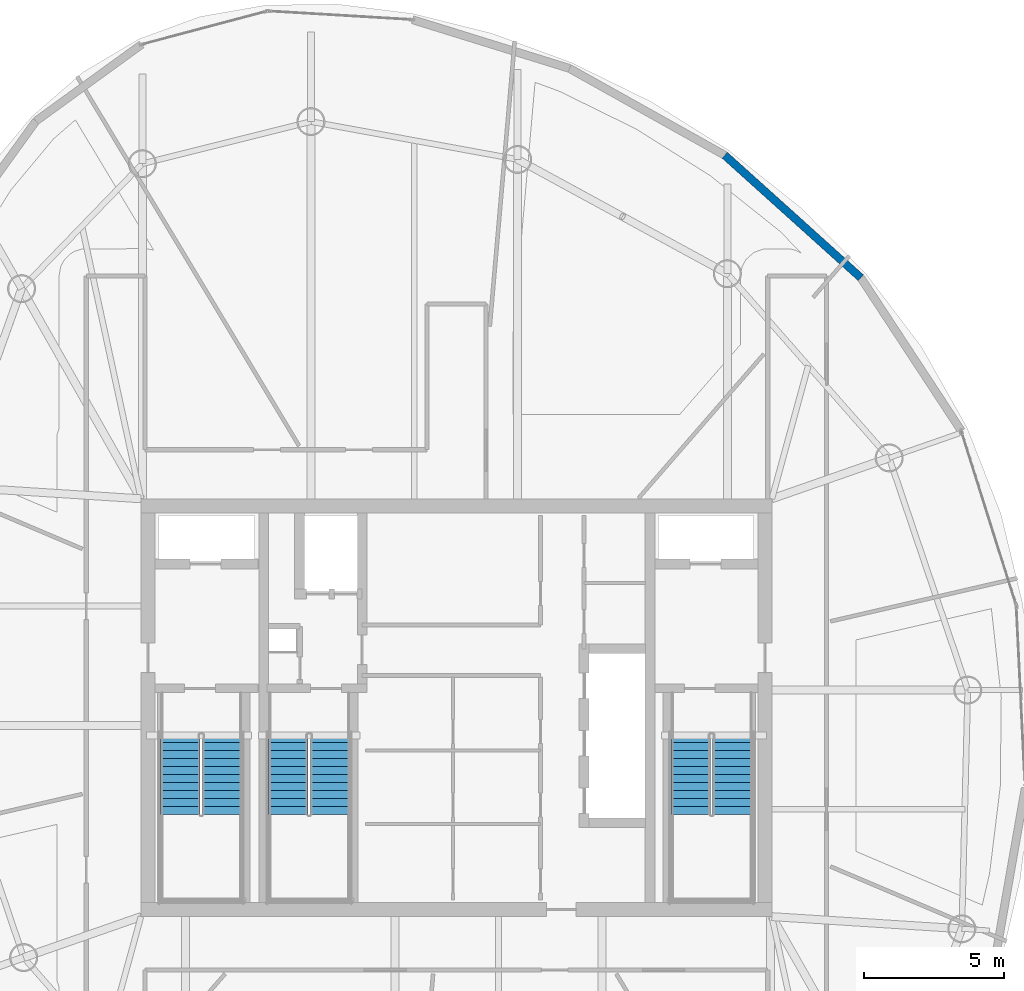
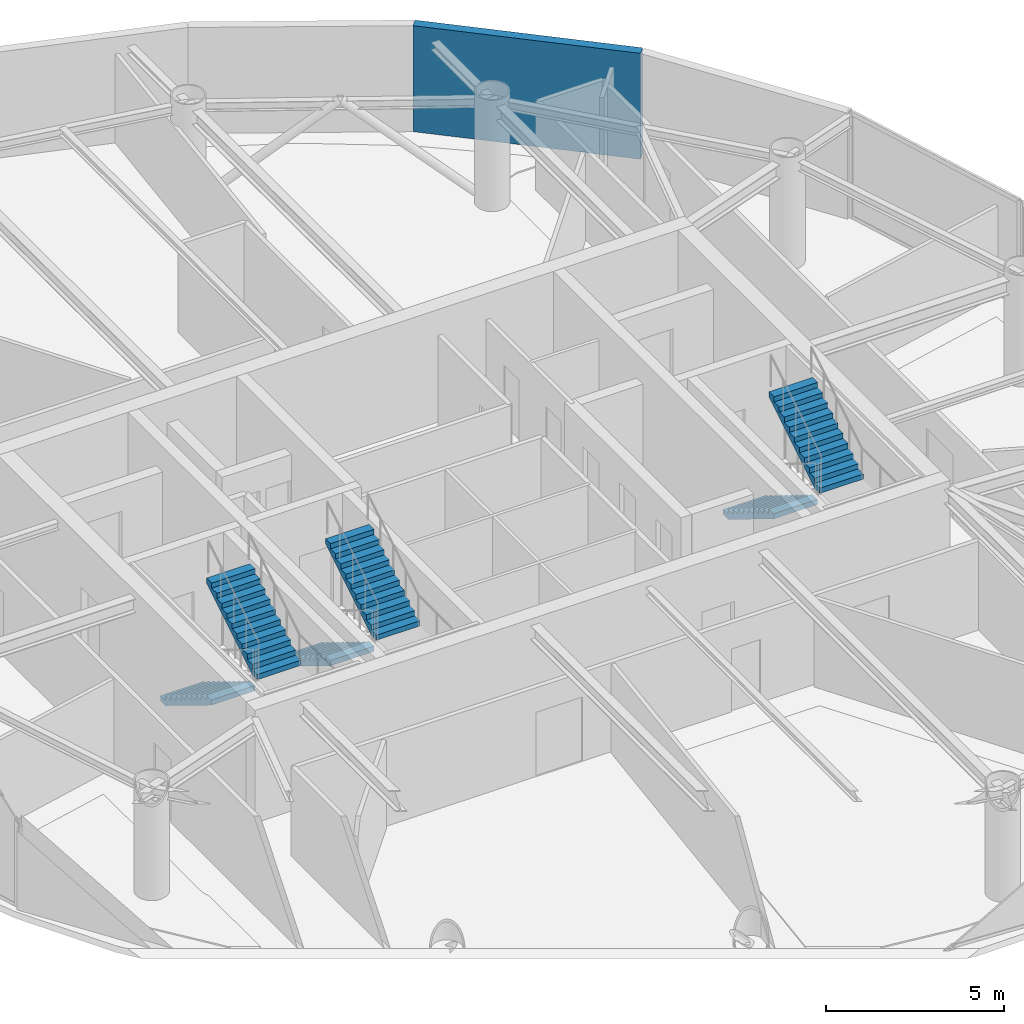
# One storey, part 16 of 19: 6 stair flights, 1 wall, 3 elements without a shape of their own.
"""IFC4 building model written with IfcOpenShell, lengths in metres."""

from ifc_helpers import new_model, si_unit, direction, frame, frame_2d, origin, place, context, subcontext, project, spatial, polyline, rectangle, outline, extrude, material, layer, layer_set, type_object, element, aggregate, save


model = new_model("IFC4")

# Units and contexts
model_context = context("Model", 3, precision=1e-05, world=origin(), true_north=direction((0.0, 1.0)))
body_context = subcontext(model_context, "Body", "Model", "MODEL_VIEW")
ifc_project = project(units=[si_unit("LENGTHUNIT", "METRE"), si_unit("AREAUNIT", "SQUARE_METRE"), si_unit("VOLUMEUNIT", "CUBIC_METRE"), si_unit("PLANEANGLEUNIT", "RADIAN"), si_unit("MASSUNIT", "GRAM", prefix="KILO")], contexts=[model_context])

# Site, building, storey
site_placement = place(None, origin())
site = spatial("IfcSite", under=ifc_project, at=site_placement, CompositionType="ELEMENT")
building_placement = place(site_placement, origin())
building = spatial("IfcBuilding", under=site, at=building_placement, Name="Bramvorn Convention Spire", CompositionType="ELEMENT")
storey_placement = place(building_placement, frame((0.0, 0.0, 292.10009765625)))
storey = spatial("IfcBuildingStorey", under=building, at=storey_placement, Name="L74", CompositionType="ELEMENT", Elevation=292.10009765625)

# Wall
ifc_material_1 = material(Name="Precast Concrete C40/50 with Bronze Terracotta Rainscreen", Category="masonry")
ifc_layer = layer(ifc_material_1, 0.300048828125)
ifc_layer_set = layer_set([ifc_layer], Name="Precast Concrete C40/50 with Bronze Terracotta Rainscreen - WL-EXT-BRONZE-300")
wall_type = type_object("IfcWallType", Name="WL-EXT-BRONZE-300", PredefinedType="SOLIDWALL", material=ifc_layer_set)
wall_placement = place(storey_placement, frame((47.570068359375, 45.69921875, 0.0), z_axis=(0.0, 0.0, 1.0), x_axis=(0.743242060742, -0.669022599875, 0.0)))
element("IfcWall", 1, at=wall_placement, inside=storey, type_object=wall_type, Name="L74 expressed bronze Gothic lancet pier wall 08", PredefinedType="SOLIDWALL", context=body_context, shape_type="SweptSolid", body=[
    extrude(rectangle(XDim=6.5263671875, YDim=0.280029296875, at=frame_2d((3.26318359375, 0.0))), origin(), (0.0, 0.0, 1.0), 3.625),
])

# Stair, stair flights
ifc_material_2 = material(Name="Concrete C40/50 Precast Stair", Category="concrete")
stair_type = type_object("IfcStairType", Name="ST-TOWER-1550", PredefinedType="HALF_TURN_STAIR", material=ifc_material_2)
stair_1_placement = place(storey_placement, origin())
stair_1 = element("IfcStair", 2, at=stair_1_placement, inside=storey, type_object=stair_type, Name="L74 Protected Exit Stair ST1", PredefinedType="HALF_TURN_STAIR")
ifc_material_3 = material(Name="Concrete C40/50 Precast Stair Flight", Category="concrete")
stair_flight_type = type_object("IfcStairFlightType", Name="STF-TOWER-1550", PredefinedType="STRAIGHT", material=ifc_material_3)
stair_flight_1_placement = place(storey_placement, frame((28.155029296875, 25.050048828125, 0.0), z_axis=(0.0, 0.0, 1.0), x_axis=(0.0, -1.0, 0.0)))
stair_flight_1 = element("IfcStairFlight", 3, at=stair_flight_1_placement, type_object=stair_flight_type, Name="ST1 flight 1", NumberOfRisers=11, NumberOfTreads=10, PredefinedType="STRAIGHT", RiserHeight=0.175, TreadLength=0.285, context=body_context, shape_type="SweptSolid", body=[
    extrude(outline(polyline([(0.0, 0.0), (0.0, 0.175048828125), (0.284912109375, 0.175048828125), (0.284912109375, 0.35009765625), (0.570068359375, 0.35009765625), (0.570068359375, 0.52490234375), (0.85498046875, 0.52490234375), (0.85498046875, 0.699951171875), (1.139892578125, 0.699951171875), (1.139892578125, 0.875), (1.425048828125, 0.875), (1.425048828125, 1.050048828125), (1.7099609375, 1.050048828125), (1.7099609375, 1.22509765625), (1.9951171875, 1.22509765625), (1.9951171875, 1.39990234375), (2.280029296875, 1.39990234375), (2.280029296875, 1.574951171875), (2.56494140625, 1.574951171875), (2.56494140625, 1.75), (2.85009765625, 1.75), (2.85009765625, 1.925048828125), (2.85009765625, 1.573974609375), (0.286376953125, 0.0), (0.0, 0.0)])), frame((0.0, 0.705078125, 0.0), z_axis=(0.0, -1.0, 0.0), x_axis=(1.0, 0.0, 0.0)), (0.0, 0.0, 1.0), 1.409912109375),
])
stair_flight_2_placement = place(storey_placement, frame((29.64501953125, 22.199951171875, 1.9248046875), z_axis=(0.0, 0.0, 1.0), x_axis=(0.0, 1.0, 0.0)))
stair_flight_2 = element("IfcStairFlight", 4, at=stair_flight_2_placement, type_object=stair_flight_type, Name="ST1 flight 2", NumberOfRisers=11, NumberOfTreads=10, PredefinedType="STRAIGHT", RiserHeight=0.175, TreadLength=0.285, context=body_context, shape_type="SweptSolid", body=[
    extrude(outline(polyline([(0.0, 0.0), (0.0, 0.175048828125), (0.284912109375, 0.175048828125), (0.284912109375, 0.35009765625), (0.570068359375, 0.35009765625), (0.570068359375, 0.52490234375), (0.85498046875, 0.52490234375), (0.85498046875, 0.699951171875), (1.139892578125, 0.699951171875), (1.139892578125, 0.875), (1.425048828125, 0.875), (1.425048828125, 1.050048828125), (1.7099609375, 1.050048828125), (1.7099609375, 1.22509765625), (1.9951171875, 1.22509765625), (1.9951171875, 1.39990234375), (2.280029296875, 1.39990234375), (2.280029296875, 1.574951171875), (2.56494140625, 1.574951171875), (2.56494140625, 1.75), (2.85009765625, 1.75), (2.85009765625, 1.925048828125), (2.85009765625, 1.573974609375), (0.286376953125, 0.0), (0.0, 0.0)])), frame((0.0, 0.705078125, 0.0), z_axis=(0.0, -1.0, 0.0), x_axis=(1.0, 0.0, 0.0)), (0.0, 0.0, 1.0), 1.409912109375),
])
aggregate(stair_1, [stair_flight_1, stair_flight_2])

stair_2_placement = place(storey_placement, origin())
stair_2 = element("IfcStair", 5, at=stair_2_placement, inside=storey, type_object=stair_type, Name="L74 Protected Exit Stair ST2", PredefinedType="HALF_TURN_STAIR")
stair_flight_3_placement = place(storey_placement, frame((46.35498046875, 25.050048828125, 0.0), z_axis=(0.0, 0.0, 1.0), x_axis=(0.0, -1.0, 0.0)))
stair_flight_3 = element("IfcStairFlight", 6, at=stair_flight_3_placement, type_object=stair_flight_type, Name="ST2 flight 1", NumberOfRisers=11, NumberOfTreads=10, PredefinedType="STRAIGHT", RiserHeight=0.175, TreadLength=0.285, context=body_context, shape_type="SweptSolid", body=[
    extrude(outline(polyline([(0.0, 0.0), (0.0, 0.175048828125), (0.284912109375, 0.175048828125), (0.284912109375, 0.35009765625), (0.570068359375, 0.35009765625), (0.570068359375, 0.52490234375), (0.85498046875, 0.52490234375), (0.85498046875, 0.699951171875), (1.139892578125, 0.699951171875), (1.139892578125, 0.875), (1.425048828125, 0.875), (1.425048828125, 1.050048828125), (1.7099609375, 1.050048828125), (1.7099609375, 1.22509765625), (1.9951171875, 1.22509765625), (1.9951171875, 1.39990234375), (2.280029296875, 1.39990234375), (2.280029296875, 1.574951171875), (2.56494140625, 1.574951171875), (2.56494140625, 1.75), (2.85009765625, 1.75), (2.85009765625, 1.925048828125), (2.85009765625, 1.573974609375), (0.286376953125, 0.0), (0.0, 0.0)])), frame((0.0, 0.705078125, 0.0), z_axis=(0.0, -1.0, 0.0), x_axis=(1.0, 0.0, 0.0)), (0.0, 0.0, 1.0), 1.409912109375),
])
stair_flight_4_placement = place(storey_placement, frame((47.844970703125, 22.199951171875, 1.9248046875), z_axis=(0.0, 0.0, 1.0), x_axis=(0.0, 1.0, 0.0)))
stair_flight_4 = element("IfcStairFlight", 7, at=stair_flight_4_placement, type_object=stair_flight_type, Name="ST2 flight 2", NumberOfRisers=11, NumberOfTreads=10, PredefinedType="STRAIGHT", RiserHeight=0.175, TreadLength=0.285, context=body_context, shape_type="SweptSolid", body=[
    extrude(outline(polyline([(0.0, 0.0), (0.0, 0.175048828125), (0.284912109375, 0.175048828125), (0.284912109375, 0.35009765625), (0.570068359375, 0.35009765625), (0.570068359375, 0.52490234375), (0.85498046875, 0.52490234375), (0.85498046875, 0.699951171875), (1.139892578125, 0.699951171875), (1.139892578125, 0.875), (1.425048828125, 0.875), (1.425048828125, 1.050048828125), (1.7099609375, 1.050048828125), (1.7099609375, 1.22509765625), (1.9951171875, 1.22509765625), (1.9951171875, 1.39990234375), (2.280029296875, 1.39990234375), (2.280029296875, 1.574951171875), (2.56494140625, 1.574951171875), (2.56494140625, 1.75), (2.85009765625, 1.75), (2.85009765625, 1.925048828125), (2.85009765625, 1.573974609375), (0.286376953125, 0.0), (0.0, 0.0)])), frame((0.0, 0.705078125, 0.0), z_axis=(0.0, -1.0, 0.0), x_axis=(1.0, 0.0, 0.0)), (0.0, 0.0, 1.0), 1.409912109375),
])
aggregate(stair_2, [stair_flight_3, stair_flight_4])

stair_3_placement = place(storey_placement, origin())
stair_3 = element("IfcStair", 8, at=stair_3_placement, inside=storey, type_object=stair_type, Name="L74 Protected Exit Stair ST3", PredefinedType="HALF_TURN_STAIR")
stair_flight_5_placement = place(storey_placement, frame((32.0048828125, 25.050048828125, 0.0), z_axis=(0.0, 0.0, 1.0), x_axis=(0.0, -1.0, 0.0)))
stair_flight_5 = element("IfcStairFlight", 9, at=stair_flight_5_placement, type_object=stair_flight_type, Name="ST3 flight 1", NumberOfRisers=11, NumberOfTreads=10, PredefinedType="STRAIGHT", RiserHeight=0.175, TreadLength=0.285, context=body_context, shape_type="SweptSolid", body=[
    extrude(outline(polyline([(0.0, 0.0), (0.0, 0.175048828125), (0.284912109375, 0.175048828125), (0.284912109375, 0.35009765625), (0.570068359375, 0.35009765625), (0.570068359375, 0.52490234375), (0.85498046875, 0.52490234375), (0.85498046875, 0.699951171875), (1.139892578125, 0.699951171875), (1.139892578125, 0.875), (1.425048828125, 0.875), (1.425048828125, 1.050048828125), (1.7099609375, 1.050048828125), (1.7099609375, 1.22509765625), (1.9951171875, 1.22509765625), (1.9951171875, 1.39990234375), (2.280029296875, 1.39990234375), (2.280029296875, 1.574951171875), (2.56494140625, 1.574951171875), (2.56494140625, 1.75), (2.85009765625, 1.75), (2.85009765625, 1.925048828125), (2.85009765625, 1.573974609375), (0.286376953125, 0.0), (0.0, 0.0)])), frame((0.0, 0.705078125, 0.0), z_axis=(0.0, -1.0, 0.0), x_axis=(1.0, 0.0, 0.0)), (0.0, 0.0, 1.0), 1.409912109375),
])
stair_flight_6_placement = place(storey_placement, frame((33.4951171875, 22.199951171875, 1.9248046875), z_axis=(0.0, 0.0, 1.0), x_axis=(0.0, 1.0, 0.0)))
stair_flight_6 = element("IfcStairFlight", 10, at=stair_flight_6_placement, type_object=stair_flight_type, Name="ST3 flight 2", NumberOfRisers=11, NumberOfTreads=10, PredefinedType="STRAIGHT", RiserHeight=0.175, TreadLength=0.285, context=body_context, shape_type="SweptSolid", body=[
    extrude(outline(polyline([(0.0, 0.0), (0.0, 0.175048828125), (0.284912109375, 0.175048828125), (0.284912109375, 0.35009765625), (0.570068359375, 0.35009765625), (0.570068359375, 0.52490234375), (0.85498046875, 0.52490234375), (0.85498046875, 0.699951171875), (1.139892578125, 0.699951171875), (1.139892578125, 0.875), (1.425048828125, 0.875), (1.425048828125, 1.050048828125), (1.7099609375, 1.050048828125), (1.7099609375, 1.22509765625), (1.9951171875, 1.22509765625), (1.9951171875, 1.39990234375), (2.280029296875, 1.39990234375), (2.280029296875, 1.574951171875), (2.56494140625, 1.574951171875), (2.56494140625, 1.75), (2.85009765625, 1.75), (2.85009765625, 1.925048828125), (2.85009765625, 1.573974609375), (0.286376953125, 0.0), (0.0, 0.0)])), frame((0.0, 0.705078125, 0.0), z_axis=(0.0, -1.0, 0.0), x_axis=(1.0, 0.0, 0.0)), (0.0, 0.0, 1.0), 1.409912109375),
])
aggregate(stair_3, [stair_flight_5, stair_flight_6])

save(model, "model.ifc")
